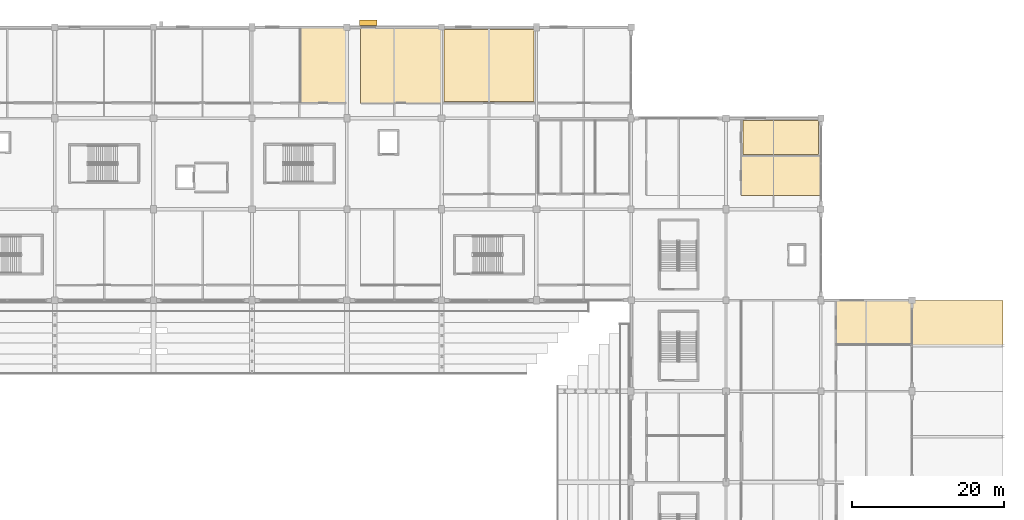
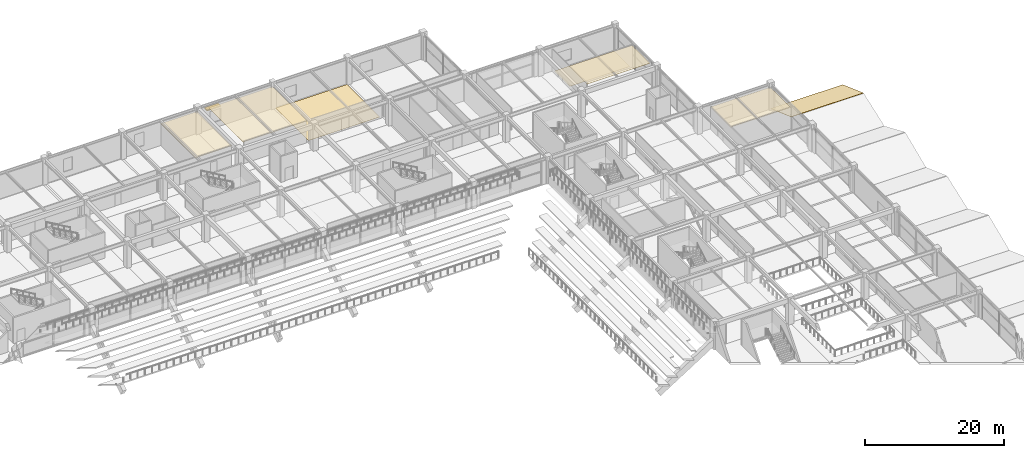
# One storey, part 134 of 134: 7 coverings, 1 shading device.
"""IFC4 building model written with IfcOpenShell, lengths in metres."""

from ifc_helpers import new_model, si_unit, direction, frame, origin, origin_2d, place, context, subcontext, project, spatial, polyline, rectangle, outline, extrude, material, layer, layer_set, type_object, element, save


model = new_model("IFC4")

# Units and contexts
model_context = context("Model", 3, precision=1e-05, world=origin(), true_north=direction((0.0, 1.0)))
body_context = subcontext(model_context, "Body", "Model", "MODEL_VIEW")
ifc_project = project(units=[si_unit("LENGTHUNIT", "METRE"), si_unit("AREAUNIT", "SQUARE_METRE"), si_unit("VOLUMEUNIT", "CUBIC_METRE"), si_unit("PLANEANGLEUNIT", "RADIAN"), si_unit("MASSUNIT", "GRAM", prefix="KILO")], contexts=[model_context])

# Site, building, storey
site_placement = place(None, origin())
site = spatial("IfcSite", under=ifc_project, at=site_placement, CompositionType="ELEMENT")
building_placement = place(site_placement, origin())
building = spatial("IfcBuilding", under=site, at=building_placement, Name="Kazenohara Klinker Stadium", CompositionType="ELEMENT")
storey_placement = place(building_placement, frame((0.0, 0.0, 5.39990234375)))
storey = spatial("IfcBuildingStorey", under=building, at=storey_placement, Name="L01", CompositionType="ELEMENT", Elevation=5.39990234375)

# Coverings
ifc_material_1 = material(Name="Perforated acoustic mineral-fibre ceiling tile", Category="gypsum")
ifc_layer_1 = layer(ifc_material_1, 0.030029296875)
ifc_layer_set_1 = layer_set([ifc_layer_1], Name="Perforated acoustic mineral-fibre ceiling tile")
covering_type_1 = type_object("IfcCoveringType", Name="COV-CEIL-01", PredefinedType="CEILING", material=ifc_layer_set_1)
covering_1_placement = place(storey_placement, frame((0.0, 0.0, 3.75)))
element("IfcCovering", 1, at=covering_1_placement, inside=storey, type_object=covering_type_1, Name="Suspended acoustic ceiling CL01 Youth Sports Coaching Classroom L01-1013B", PredefinedType="CEILING", context=body_context, shape_type="SweptSolid", body=[
    extrude(outline(polyline([(131.331787109375, 157.9599609375), (137.4599609375, 157.9599609375), (137.4599609375, 167.93994140625), (131.331787109375, 167.93994140625), (131.331787109375, 157.9599609375)])), origin(), (0.0, 0.0, 1.0), 0.030029296875),
])
covering_2_placement = place(storey_placement, frame((0.0, 0.0, 3.75)))
element("IfcCovering", 2, at=covering_2_placement, inside=storey, type_object=covering_type_1, Name="Suspended acoustic ceiling CL01 Supporter Scarf and Jersey Retail Shop L01-1512A", PredefinedType="CEILING", context=body_context, shape_type="SweptSolid", body=[
    extrude(outline(polyline([(189.4599609375, 145.800048828125), (199.93994140625, 145.800048828125), (199.93994140625, 151.019287109375), (189.4599609375, 151.019287109375), (189.4599609375, 145.800048828125)])), origin(), (0.0, 0.0, 1.0), 0.030029296875),
])
ifc_material_2 = material(Name="Slatted Hokkaido cedar acoustic baffle ceiling", Category="wood")
ifc_layer_2 = layer(ifc_material_2, 0.0400390625)
ifc_layer_set_2 = layer_set([ifc_layer_2], Name="Slatted Hokkaido cedar acoustic baffle ceiling")
covering_type_2 = type_object("IfcCoveringType", Name="COV-CEIL-02", PredefinedType="CEILING", material=ifc_layer_set_2)
covering_3_placement = place(storey_placement, frame((0.0, 0.0, 3.739990234375)))
element("IfcCovering", 3, at=covering_3_placement, inside=storey, type_object=covering_type_2, Name="Suspended acoustic ceiling CL02 Community Martial Arts Fitness Studio L01-1113A", PredefinedType="CEILING", context=body_context, shape_type="SweptSolid", body=[
    extrude(outline(polyline([(139.300048828125, 157.9599609375), (149.9599609375, 157.9599609375), (149.9599609375, 167.93994140625), (139.300048828125, 167.93994140625), (139.300048828125, 157.9599609375)])), origin(), (0.0, 0.0, 1.0), 0.0400390625),
])
covering_4_placement = place(storey_placement, frame((0.0, 0.0, 3.739990234375)))
element("IfcCovering", 4, at=covering_4_placement, inside=storey, type_object=covering_type_2, Name="Suspended acoustic ceiling CL02 Community Martial Arts Fitness Studio L01-1610B", PredefinedType="CEILING", context=body_context, shape_type="SweptSolid", body=[
    extrude(outline(polyline([(201.9599609375, 126.076904296875), (211.93994140625, 126.076904296875), (211.93994140625, 131.9599609375), (201.9599609375, 131.9599609375), (201.9599609375, 126.076904296875)])), origin(), (0.0, 0.0, 1.0), 0.0400390625),
])
ifc_material_3 = material(Name="Slip-resistant honed basalt terrazzo flooring", Category="masonry")
ifc_layer_3 = layer(ifc_material_3, 0.02001953125)
ifc_layer_set_3 = layer_set([ifc_layer_3], Name="Slip-resistant honed basalt terrazzo flooring")
covering_type_3 = type_object("IfcCoveringType", Name="COV-FLR-01", PredefinedType="FLOORING", material=ifc_layer_set_3)
covering_5_placement = place(storey_placement, origin())
element("IfcCovering", 5, at=covering_5_placement, inside=storey, type_object=covering_type_3, Name="Interior floor finish FL01 Family Sensory Hospitality Lounge L01-1213A", PredefinedType="FLOORING", context=body_context, shape_type="SweptSolid", body=[
    extrude(outline(polyline([(150.31005859375, 158.22998046875), (162.18994140625, 158.22998046875), (162.18994140625, 167.669921875), (150.31005859375, 167.669921875), (150.31005859375, 158.22998046875)])), origin(), (0.0, 0.0, 1.0), 0.02001953125),
])
ifc_material_4 = material(Name="Cushioned EPDM sports rubber flooring", Category="rubber")
ifc_layer_4 = layer(ifc_material_4, 0.014892578125)
ifc_layer_set_4 = layer_set([ifc_layer_4], Name="Cushioned EPDM sports rubber flooring")
covering_type_4 = type_object("IfcCoveringType", Name="COV-FLR-02", PredefinedType="FLOORING", material=ifc_layer_set_4)
covering_6_placement = place(storey_placement, origin())
element("IfcCovering", 6, at=covering_6_placement, inside=storey, type_object=covering_type_4, Name="Interior floor finish FL02 Family Sensory Hospitality Lounge L01-1512B", PredefinedType="FLOORING", context=body_context, shape_type="SweptSolid", body=[
    extrude(outline(polyline([(189.72998046875, 151.209228515625), (199.669921875, 151.209228515625), (199.669921875, 155.68994140625), (189.72998046875, 155.68994140625), (189.72998046875, 151.209228515625)])), origin(), (0.0, 0.0, 1.0), 0.01513671875),
])
ifc_material_5 = material(Name="Insulated standing-seam copper roofing", Category="metal")
ifc_layer_5 = layer(ifc_material_5, 0.050048828125)
ifc_layer_set_5 = layer_set([ifc_layer_5], Name="Insulated standing-seam copper roofing")
covering_type_5 = type_object("IfcCoveringType", Name="COV-ROOF-01", PredefinedType="ROOFING", material=ifc_layer_set_5)
covering_7_placement = place(storey_placement, frame((212.0, 126.050048828125, 2.1201171875), z_axis=(0.0, 0.3398274788, 0.940487790805), x_axis=(1.0, 0.0, 0.0)))
element("IfcCovering", 7, at=covering_7_placement, inside=storey, type_object=covering_type_5, Name="Standing-seam copper stepped wing roofing L01-B 18/L", PredefinedType="ROOFING", context=body_context, shape_type="SweptSolid", body=[
    extrude(outline(polyline([(0.0, 0.0), (12.0, 0.0), (12.0, 6.326452326174476), (0.0, 6.326452326174476), (0.0, 0.0)])), origin(), (0.0, 0.0, -1.0), 0.050048828125),
])

# Shading device
ifc_material_6 = material(Name="Bronze-anodised aluminium snow-hood sunshade", Category="aluminium")
shading_device_type = type_object("IfcShadingDeviceType", Name="SHD-SUN-02", PredefinedType="AWNING", material=ifc_material_6)
shading_device_placement = place(storey_placement, frame((140.35400390625, 168.574951171875, 3.0400390625), z_axis=(0.0, 0.0, 1.0), x_axis=(1.0, 0.0, 0.0)))
element("IfcShadingDevice", 8, at=shading_device_placement, inside=storey, type_object=shading_device_type, Name="Bronze snow-hood sunshade SS02-08", PredefinedType="AWNING", context=body_context, shape_type="SweptSolid", body=[
    extrude(rectangle(XDim=2.300048828125, YDim=0.75, at=origin_2d()), origin(), (0.0, 0.0, 1.0), 0.179931640625),
])

save(model, "model.ifc")
